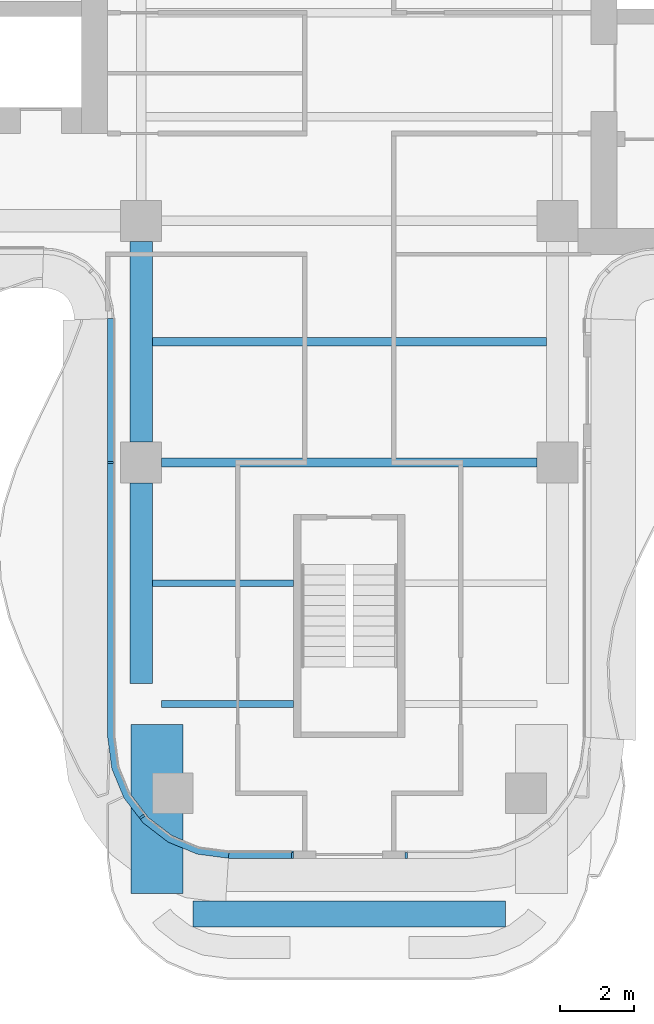
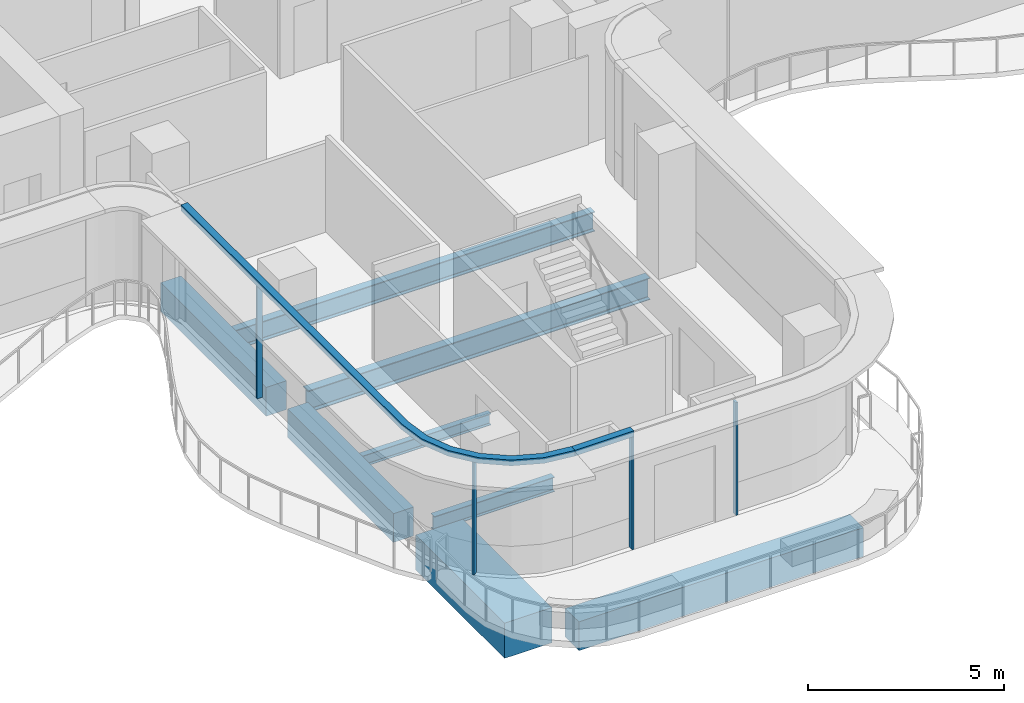
# One storey, part 2 of 17: 8 beams, 6 members, 3 elements without a shape of their own.
"""IFC4 building model written with IfcOpenShell, lengths in metres."""

from ifc_helpers import new_model, si_unit, direction, frame, origin, origin_2d, place, context, subcontext, project, spatial, polyline, rectangle, i_section, outline, extrude, source, transform, mapped, material, layer, layer_set, material_profile, profile_set, type_object, element, aggregate, save


model = new_model("IFC4")

# Units and contexts
model_context = context("Model", 3, precision=1e-05, world=origin(), true_north=direction((0.0, 1.0)))
body_context = subcontext(model_context, "Body", "Model", "MODEL_VIEW")
ifc_project = project(units=[si_unit("LENGTHUNIT", "METRE"), si_unit("AREAUNIT", "SQUARE_METRE"), si_unit("VOLUMEUNIT", "CUBIC_METRE"), si_unit("PLANEANGLEUNIT", "RADIAN"), si_unit("MASSUNIT", "GRAM", prefix="KILO")], contexts=[model_context])

# Site, building, storey
site_placement = place(None, origin())
site = spatial("IfcSite", under=ifc_project, at=site_placement, CompositionType="ELEMENT")
building_placement = place(site_placement, origin())
building = spatial("IfcBuilding", under=site, at=building_placement, Name="Trellis Farm Tower", CompositionType="ELEMENT")
storey_placement = place(building_placement, frame((0.0, 0.0, 244.10009765625)))
storey = spatial("IfcBuildingStorey", under=building, at=storey_placement, Name="L54", CompositionType="ELEMENT", Elevation=244.10009765625)

# Curtain wall, member
ifc_material_1 = material(Name="Aluminium and glass curtain wall", Category="aluminium")
ifc_layer_1 = layer(ifc_material_1, 0.18994140625)
ifc_layer_set_1 = layer_set([ifc_layer_1], Name="RIBBON CURTAIN WALL CW1")
curtain_wall_type = type_object("IfcCurtainWallType", Name="RIBBON CURTAIN WALL CW1", PredefinedType="NOTDEFINED", material=ifc_layer_set_1)
placement_1 = place(storey_placement, origin())
curtain_wall_1 = element("IfcCurtainWall", 1, at=placement_1, inside=storey, type_object=curtain_wall_type, Name="CW1 003", PredefinedType="NOTDEFINED")
ifc_material_2 = material(Name="Aluminium extrusion 6063-T6", Category="aluminium")
ifc_layer_2 = layer(ifc_material_2, 0.199951171875)
ifc_layer_set_2 = layer_set([ifc_layer_2], Name="Aluminium extrusion 6063-T6")
member_type_1 = type_object("IfcMemberType", Name="CW1 TRANSOM 200x180", PredefinedType="USERDEFINED", material=ifc_layer_set_2)
placement_2 = place(storey_placement, frame((0.0, 0.0, 3.52001953125)))
member_1 = element("IfcMember", 2, at=placement_2, type_object=member_type_1, Name="TR1 003", ObjectType="TRANSOM", PredefinedType="USERDEFINED", context=body_context, shape_type="SweptSolid", body=[
    extrude(outline(polyline([(-3.25, -22.75), (-1.5, -22.75), (-1.5, -22.550048828125), (-3.23681640625, -22.550048828125), (-3.25, -22.75)])), origin(), (0.0, 0.0, 1.0), 0.179931640625),
])

# Beams
ifc_material_3 = material(Name="Steel S355", Category="steel")
ifc_material_profile_1 = material_profile(ifc_material_3, i_section(OverallWidth=0.17138671875, OverallDepth=0.35498046875, WebThickness=0.00732421875, FlangeThickness=0.011474609375, FilletRadius=0.01025390625, at=origin_2d()), Name="UB 356x171x51")
ifc_profile_set_1 = profile_set([ifc_material_profile_1], Name="Steel S355")
beam_type_1 = type_object("IfcBeamType", Name="UB 356x171x51 joist", PredefinedType="JOIST", material=ifc_profile_set_1)
shared_shape_1 = source(origin(), body_context, "Body", "SweptSolid", [
    extrude(i_section(OverallWidth=0.17138671875, OverallDepth=0.35498046875, WebThickness=0.00732421875, FlangeThickness=0.011474609375, FilletRadius=0.01025390625, at=origin_2d()), origin(), (0.0, 0.0, 1.0), 3.800048828125),
])
beam_1_placement = place(storey_placement, frame((-5.300048828125, -15.35009765625, -0.377685546875), z_axis=(1.0, 0.0, 0.0), x_axis=(0.0, 1.0, 0.0)))
element("IfcBeam", 3, at=beam_1_placement, inside=storey, type_object=beam_type_1, Name="Floor beam", PredefinedType="JOIST", context=body_context, shape_type="MappedRepresentation", body=[
    mapped(shared_shape_1, transform((0.0, 0.0, 0.0))),
])
ifc_material_profile_2 = material_profile(ifc_material_3, i_section(OverallWidth=0.22900390625, OverallDepth=0.6123046875, WebThickness=0.011962890625, FlangeThickness=0.01953125, FilletRadius=0.0126953125, at=origin_2d()), Name="UB 610x229x125")
ifc_profile_set_2 = profile_set([ifc_material_profile_2], Name="Steel S355")
beam_type_2 = type_object("IfcBeamType", Name="UB 610x229x125 joist", PredefinedType="JOIST", material=ifc_profile_set_2)
shared_shape_2 = source(origin(), body_context, "Body", "SweptSolid", [
    extrude(i_section(OverallWidth=0.22900390625, OverallDepth=0.6123046875, WebThickness=0.011962890625, FlangeThickness=0.01953125, FilletRadius=0.0126953125, at=origin_2d()), origin(), (0.0, 0.0, 1.0), 10.60009765625),
])
beam_2_placement = place(storey_placement, frame((-5.300048828125, -8.85009765625, -0.506103515625), z_axis=(1.0, 0.0, 0.0), x_axis=(0.0, 1.0, 0.0)))
element("IfcBeam", 4, at=beam_2_placement, inside=storey, type_object=beam_type_2, Name="Floor beam", PredefinedType="JOIST", context=body_context, shape_type="MappedRepresentation", body=[
    mapped(shared_shape_2, transform((0.0, 0.0, 0.0))),
])
ifc_material_profile_3 = material_profile(ifc_material_3, i_section(OverallWidth=0.1904296875, OverallDepth=0.45703125, WebThickness=0.009033203125, FlangeThickness=0.014404296875, FilletRadius=0.01025390625, at=origin_2d()), Name="UB 457x191x74")
ifc_profile_set_3 = profile_set([ifc_material_profile_3], Name="Steel S355")
beam_type_3 = type_object("IfcBeamType", Name="UB 457x191x74", PredefinedType="BEAM", material=ifc_profile_set_3)
shared_shape_3 = source(origin(), body_context, "Body", "SweptSolid", [
    extrude(i_section(OverallWidth=0.1904296875, OverallDepth=0.45703125, WebThickness=0.009033203125, FlangeThickness=0.014404296875, FilletRadius=0.01025390625, at=origin_2d()), origin(), (0.0, 0.0, 1.0), 3.550048828125),
])
beam_3_placement = place(storey_placement, frame((-5.050048828125, -18.60009765625, -0.4287109375), z_axis=(1.0, 0.0, 0.0), x_axis=(0.0, 1.0, 0.0)))
element("IfcBeam", 5, at=beam_3_placement, inside=storey, type_object=beam_type_3, Name="Girder", PredefinedType="BEAM", context=body_context, shape_type="MappedRepresentation", body=[
    mapped(shared_shape_3, transform((0.0, 0.0, 0.0))),
])
ifc_material_profile_4 = material_profile(ifc_material_3, i_section(OverallWidth=0.253662109375, OverallDepth=0.68359375, WebThickness=0.012451171875, FlangeThickness=0.021728515625, FilletRadius=0.01513671875, at=origin_2d()), Name="UB 686x254x140")
ifc_profile_set_4 = profile_set([ifc_material_profile_4], Name="Steel S355")
beam_type_4 = type_object("IfcBeamType", Name="UB 686x254x140", PredefinedType="BEAM", material=ifc_profile_set_4)
shared_shape_4 = source(origin(), body_context, "Body", "SweptSolid", [
    extrude(i_section(OverallWidth=0.253662109375, OverallDepth=0.68359375, WebThickness=0.012451171875, FlangeThickness=0.021728515625, FilletRadius=0.01513671875, at=origin_2d()), origin(), (0.0, 0.0, 1.0), 10.10009765625),
])
beam_4_placement = place(storey_placement, frame((-5.050048828125, -12.10009765625, -0.541748046875), z_axis=(1.0, 0.0, 0.0), x_axis=(0.0, 1.0, 0.0)))
element("IfcBeam", 6, at=beam_4_placement, inside=storey, type_object=beam_type_4, Name="Girder", PredefinedType="BEAM", context=body_context, shape_type="MappedRepresentation", body=[
    mapped(shared_shape_4, transform((0.0, 0.0, 0.0))),
])
ifc_material_4 = material(Name="Concrete C60/75", Category="concrete")
ifc_material_profile_5 = material_profile(ifc_material_4, rectangle(XDim=0.60009765625, YDim=0.89990234375, at=origin_2d()), Name="RC spandrel beam 600x900 C60/75")
ifc_profile_set_5 = profile_set([ifc_material_profile_5], Name="Concrete C60/75")
beam_type_5 = type_object("IfcBeamType", Name="RC spandrel beam 600x900 C60/75", PredefinedType="SPANDREL", material=ifc_profile_set_5)
shared_shape_5 = source(origin(), body_context, "Body", "SweptSolid", [
    extrude(rectangle(XDim=0.60009765625, YDim=0.89990234375, at=origin_2d()), origin(), (0.0, 0.0, 1.0), 5.400146484375),
])
for number, where, z_axis, x_axis, name in (
    (7, (-5.60009765625, -18.050048828125, -0.650146484375), (0.0, 1.0, 0.0), (-1.0, 0.0, 0.0), "Girder"),
    (8, (-5.60009765625, -11.550048828125, -0.650146484375), (0.0, 1.0, 0.0), (-1.0, 0.0, 0.0), "Girder"),
):
    element("IfcBeam", number, at=place(storey_placement, frame(where, z_axis=z_axis, x_axis=x_axis)), inside=storey, type_object=beam_type_5, Name=name, PredefinedType="SPANDREL", context=body_context, shape_type="MappedRepresentation", body=[
        mapped(shared_shape_5, transform((0.0, 0.0, 0.0))),
    ])
ifc_material_profile_6 = material_profile(ifc_material_4, rectangle(XDim=0.699951171875, YDim=0.89990234375, at=origin_2d()), Name="RC spandrel beam 700x900 C60/75")
ifc_profile_set_6 = profile_set([ifc_material_profile_6], Name="Concrete C60/75")
beam_type_6 = type_object("IfcBeamType", Name="RC spandrel beam 700x900 C60/75", PredefinedType="SPANDREL", material=ifc_profile_set_6)
shared_shape_6 = source(origin(), body_context, "Body", "SweptSolid", [
    extrude(rectangle(XDim=0.699951171875, YDim=0.89990234375, at=origin_2d()), origin(), (0.0, 0.0, 1.0), 8.39990234375),
])
beam_5_placement = place(storey_placement, frame((-4.199951171875, -24.25, -0.650146484375), z_axis=(1.0, 0.0, 0.0), x_axis=(0.0, 1.0, 0.0)))
element("IfcBeam", 9, at=beam_5_placement, inside=storey, type_object=beam_type_6, Name="Girder", PredefinedType="SPANDREL", context=body_context, shape_type="MappedRepresentation", body=[
    mapped(shared_shape_6, transform((0.0, 0.0, 0.0))),
])
ifc_material_5 = material(Name="Concrete C80/95", Category="concrete")
ifc_material_profile_7 = material_profile(ifc_material_5, rectangle(XDim=1.39990234375, YDim=1.10009765625, at=origin_2d()), Name="RC transfer beam 1400x1100 C80/95")
ifc_profile_set_7 = profile_set([ifc_material_profile_7], Name="Concrete C80/95")
beam_type_7 = type_object("IfcBeamType", Name="RC transfer beam 1400x1100 C80/95", PredefinedType="BEAM", material=ifc_profile_set_7)
shared_shape_7 = source(origin(), body_context, "Body", "SweptSolid", [
    extrude(rectangle(XDim=1.39990234375, YDim=1.10009765625, at=origin_2d()), origin(), (0.0, 0.0, 1.0), 4.550048828125),
])
beam_6_placement = place(storey_placement, frame((-5.175048828125, -23.699951171875, -0.75), z_axis=(0.0, 1.0, 0.0), x_axis=(-1.0, 0.0, 0.0)))
element("IfcBeam", 10, at=beam_6_placement, inside=storey, type_object=beam_type_7, Name="Transfer girder", PredefinedType="BEAM", context=body_context, shape_type="MappedRepresentation", body=[
    mapped(shared_shape_7, transform((0.0, 0.0, 0.0))),
])

# Curtain wall, members
curtain_wall_2 = element("IfcCurtainWall", 11, at=placement_1, inside=storey, type_object=curtain_wall_type, Name="CW1 002", PredefinedType="NOTDEFINED")
ifc_material_profile_8 = material_profile(ifc_material_2, rectangle(XDim=0.06005859375, YDim=0.14990234375, at=origin_2d()), Name="MULLION 60x150")
ifc_profile_set_8 = profile_set([ifc_material_profile_8], Name="Aluminium extrusion 6063-T6")
member_type_2 = type_object("IfcMemberType", Name="CW1 MULLION 60x150", PredefinedType="MULLION", material=ifc_profile_set_8)
shared_shape_8 = source(origin(), body_context, "Body", "SweptSolid", [
    extrude(rectangle(XDim=0.06005859375, YDim=0.14990234375, at=origin_2d()), origin(), (0.0, 0.0, 1.0), 3.52001953125),
])
member_2_placement = place(storey_placement, frame((-6.425048828125, -12.10009765625, 0.0), z_axis=(0.0, 0.0, 1.0), x_axis=(0.0, -1.0, 0.0)))
member_2 = element("IfcMember", 12, at=member_2_placement, type_object=member_type_2, Name="MU1 002-01", PredefinedType="MULLION", context=body_context, shape_type="MappedRepresentation", body=[
    mapped(shared_shape_8, transform((0.0, 0.0, 0.0))),
])
member_3_placement = place(storey_placement, frame((-5.578369140625, -21.635498046875, 0.0), z_axis=(0.0, 0.0, 1.0), x_axis=(0.608761429009, -0.793353340291, 0.0)))
member_3 = element("IfcMember", 13, at=member_3_placement, type_object=member_type_2, Name="MU1 002-02", PredefinedType="MULLION", context=body_context, shape_type="MappedRepresentation", body=[
    mapped(shared_shape_8, transform((0.0, 0.0, 0.0))),
])

# Member
member_4_placement = place(storey_placement, frame((-1.530029296875, -22.675048828125, 0.0), z_axis=(0.0, 0.0, 1.0), x_axis=(1.0, 0.0, 0.0)))
member_4 = element("IfcMember", 14, at=member_4_placement, type_object=member_type_2, Name="MU1 003-01", PredefinedType="MULLION", context=body_context, shape_type="MappedRepresentation", body=[
    mapped(shared_shape_8, transform((0.0, 0.0, 0.0))),
])

aggregate(curtain_wall_1, [member_4, member_1])

# Curtain wall, member
curtain_wall_3 = element("IfcCurtainWall", 15, at=placement_1, inside=storey, type_object=curtain_wall_type, Name="CW1 004", PredefinedType="NOTDEFINED")
member_5_placement = place(storey_placement, frame((1.530029296875, -22.675048828125, 0.0), z_axis=(0.0, 0.0, 1.0), x_axis=(1.0, 0.0, 0.0)))
member_5 = element("IfcMember", 16, at=member_5_placement, type_object=member_type_2, Name="MU1 004-01", PredefinedType="MULLION", context=body_context, shape_type="MappedRepresentation", body=[
    mapped(shared_shape_8, transform((0.0, 0.0, 0.0))),
])
aggregate(curtain_wall_3, [member_5])

# Member
shared_shape_9 = source(origin(), body_context, "Body", "SweptSolid", [
    extrude(outline(polyline([(-6.5, -8.2314453125), (-6.5, -19.5), (-6.38916015625, -20.341064453125), (-6.064697265625, -21.125), (-5.548095703125, -21.798095703125), (-4.875, -22.314697265625), (-4.091064453125, -22.63916015625), (-3.25, -22.75), (-3.23681640625, -22.550048828125), (-4.0390625, -22.4443359375), (-4.774169921875, -22.139892578125), (-5.405517578125, -21.655517578125), (-5.889892578125, -21.024169921875), (-6.1943359375, -20.2890625), (-6.300048828125, -19.48681640625), (-6.300048828125, -8.224853515625), (-6.5, -8.2314453125)])), origin(), (0.0, 0.0, 1.0), 0.179931640625),
])
member_6 = element("IfcMember", 17, at=placement_2, type_object=member_type_1, Name="TR1 002", ObjectType="TRANSOM", PredefinedType="USERDEFINED", context=body_context, shape_type="MappedRepresentation", body=[
    mapped(shared_shape_9, transform((0.0, 0.0, 0.0))),
])

aggregate(curtain_wall_2, [member_2, member_3, member_6])

save(model, "model.ifc")
